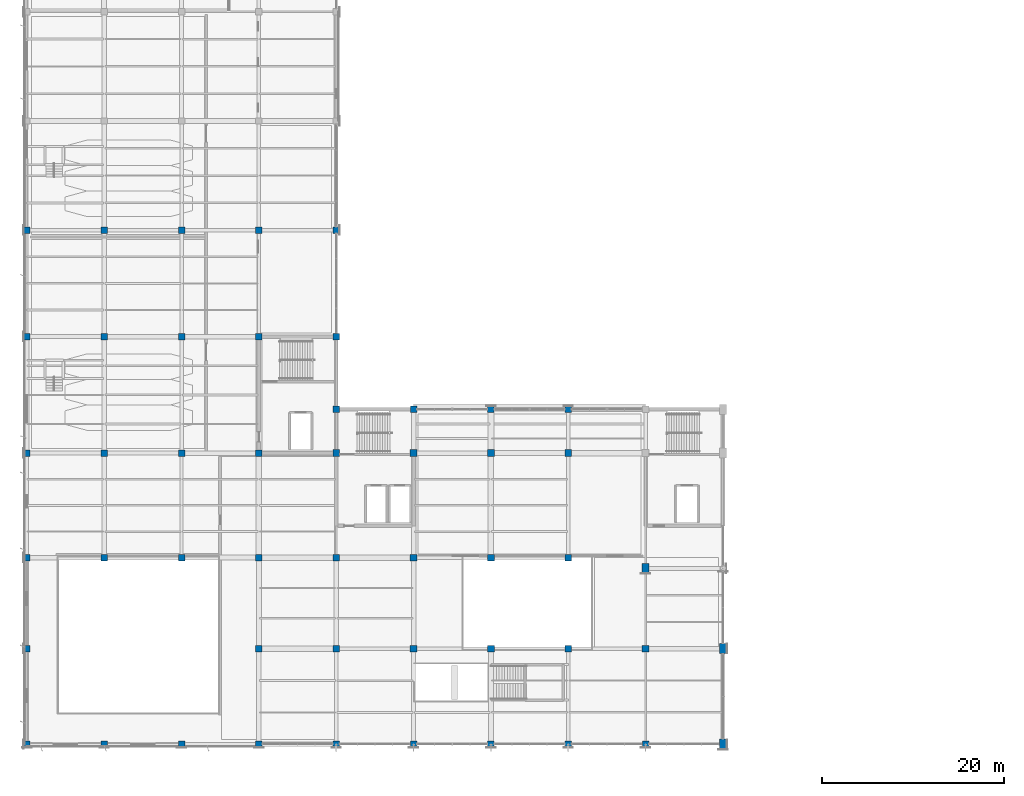
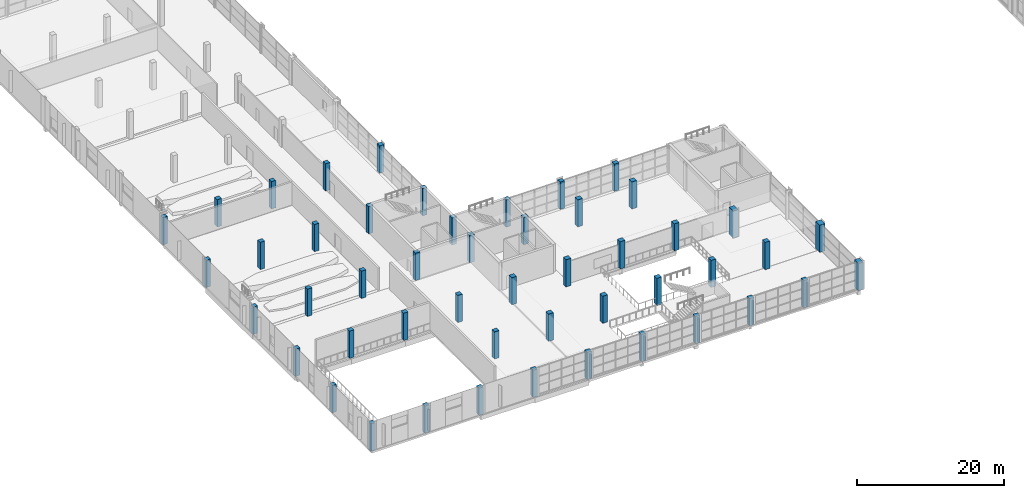
# One storey, part 1 of 112: 49 columns.
"""IFC4 building model written with IfcOpenShell, lengths in metres."""

from ifc_helpers import new_model, si_unit, direction, frame, origin, origin_2d, place, context, subcontext, project, spatial, rectangle, extrude, material, material_profile, profile_set, type_object, element, save


model = new_model("IFC4")

# Units and contexts
model_context = context("Model", 3, precision=1e-05, world=origin(), true_north=direction((0.0, 1.0)))
body_context = subcontext(model_context, "Body", "Model", "MODEL_VIEW")
ifc_project = project(units=[si_unit("LENGTHUNIT", "METRE"), si_unit("AREAUNIT", "SQUARE_METRE"), si_unit("VOLUMEUNIT", "CUBIC_METRE"), si_unit("PLANEANGLEUNIT", "RADIAN"), si_unit("MASSUNIT", "GRAM", prefix="KILO")], contexts=[model_context])

# Site, building, storey
site_placement = place(None, origin())
site = spatial("IfcSite", under=ifc_project, at=site_placement, CompositionType="ELEMENT")
building_placement = place(site_placement, origin())
building = spatial("IfcBuilding", under=site, at=building_placement, Name="Solvikara Media Centre", CompositionType="ELEMENT")
storey_placement = place(building_placement, frame((0.0, 0.0, 5.39990234375)))
storey = spatial("IfcBuildingStorey", under=building, at=storey_placement, Name="L01", CompositionType="ELEMENT", Elevation=5.39990234375)

# Columns
ifc_material = material(Name="Concrete fc' 45 MPa (C45/55)", Category="concrete")
ifc_material_profile_1 = material_profile(ifc_material, rectangle(XDim=0.699951171875, YDim=0.699951171875, at=origin_2d()), Name="RC 700x700")
ifc_profile_set_1 = profile_set([ifc_material_profile_1], Name="Concrete fc' 45 MPa (C45/55)")
column_type_1 = type_object("IfcColumnType", Name="CL-03", PredefinedType="COLUMN", material=ifc_profile_set_1)
for number, where, z_axis, x_axis, name in (
    (1, (8.5, 20.5, 0.0), (0.0, 0.0, 1.0), (1.0, 0.0, 0.0), "C-L01-0085-0205"),
    (2, (8.5, 32.0, 0.0), (0.0, 0.0, 1.0), (1.0, 0.0, 0.0), "C-L01-0085-0320"),
    (3, (8.5, 44.800048828125, 0.0), (0.0, 0.0, 1.0), (1.0, 0.0, 0.0), "C-L01-0085-0448"),
    (4, (8.5, 56.5, 0.0), (0.0, 0.0, 1.0), (1.0, 0.0, 0.0), "C-L01-0085-0565"),
    (5, (17.0, 20.5, 0.0), (0.0, 0.0, 1.0), (1.0, 0.0, 0.0), "C-L01-0170-0205"),
    (6, (17.0, 32.0, 0.0), (0.0, 0.0, 1.0), (1.0, 0.0, 0.0), "C-L01-0170-0320"),
    (7, (17.0, 44.800048828125, 0.0), (0.0, 0.0, 1.0), (1.0, 0.0, 0.0), "C-L01-0170-0448"),
    (8, (17.0, 56.5, 0.0), (0.0, 0.0, 1.0), (1.0, 0.0, 0.0), "C-L01-0170-0565"),
    (9, (25.5, 10.5, 0.0), (0.0, 0.0, 1.0), (1.0, 0.0, 0.0), "C-L01-0255-0105"),
    (10, (25.5, 20.5, 0.0), (0.0, 0.0, 1.0), (1.0, 0.0, 0.0), "C-L01-0255-0205"),
    (11, (25.5, 32.0, 0.0), (0.0, 0.0, 1.0), (1.0, 0.0, 0.0), "C-L01-0255-0320"),
    (12, (25.5, 44.800048828125, 0.0), (0.0, 0.0, 1.0), (1.0, 0.0, 0.0), "C-L01-0255-0448"),
    (13, (25.5, 56.5, 0.0), (0.0, 0.0, 1.0), (1.0, 0.0, 0.0), "C-L01-0255-0565"),
):
    element("IfcColumn", number, at=place(storey_placement, frame(where, z_axis=z_axis, x_axis=x_axis)), inside=storey, type_object=column_type_1, Name=name, PredefinedType="COLUMN", context=body_context, shape_type="SweptSolid", body=[
        extrude(rectangle(XDim=0.699951171875, YDim=0.699951171875, at=origin_2d()), origin(), (0.0, 0.0, 1.0), 4.5400390625),
    ])
ifc_material_profile_2 = material_profile(ifc_material, rectangle(XDim=0.75, YDim=0.75, at=origin_2d()), Name="RC 750x750")
ifc_profile_set_2 = profile_set([ifc_material_profile_2], Name="Concrete fc' 45 MPa (C45/55)")
column_type_2 = type_object("IfcColumnType", Name="CL-04", PredefinedType="COLUMN", material=ifc_profile_set_2)
for number, where, z_axis, x_axis, name in (
    (14, (34.0, 10.5, 0.0), (0.0, 0.0, 1.0), (1.0, 0.0, 0.0), "C-L01-0340-0105"),
    (15, (34.0, 20.5, 0.0), (0.0, 0.0, 1.0), (1.0, 0.0, 0.0), "C-L01-0340-0205"),
    (16, (34.0, 32.0, 0.0), (0.0, 0.0, 1.0), (1.0, 0.0, 0.0), "C-L01-0340-0320"),
    (17, (42.5, 10.5, 0.0), (0.0, 0.0, 1.0), (1.0, 0.0, 0.0), "C-L01-0425-0105"),
    (18, (42.5, 20.5, 0.0), (0.0, 0.0, 1.0), (1.0, 0.0, 0.0), "C-L01-0425-0205"),
    (19, (42.5, 32.0, 0.0), (0.0, 0.0, 1.0), (1.0, 0.0, 0.0), "C-L01-0425-0320"),
    (20, (51.0, 10.5, 0.0), (0.0, 0.0, 1.0), (1.0, 0.0, 0.0), "C-L01-0510-0105"),
    (21, (51.0, 20.5, 0.0), (0.0, 0.0, 1.0), (1.0, 0.0, 0.0), "C-L01-0510-0205"),
    (22, (51.0, 32.0, 0.0), (0.0, 0.0, 1.0), (1.0, 0.0, 0.0), "C-L01-0510-0320"),
    (23, (59.5, 10.5, 0.0), (0.0, 0.0, 1.0), (1.0, 0.0, 0.0), "C-L01-0595-0105"),
    (24, (59.5, 20.5, 0.0), (0.0, 0.0, 1.0), (1.0, 0.0, 0.0), "C-L01-0595-0205"),
    (25, (59.5, 32.0, 0.0), (0.0, 0.0, 1.0), (1.0, 0.0, 0.0), "C-L01-0595-0320"),
    (26, (68.0, 10.5, 0.0), (0.0, 0.0, 1.0), (1.0, 0.0, 0.0), "C-L01-0680-0105"),
):
    element("IfcColumn", number, at=place(storey_placement, frame(where, z_axis=z_axis, x_axis=x_axis)), inside=storey, type_object=column_type_2, Name=name, PredefinedType="COLUMN", context=body_context, shape_type="SweptSolid", body=[
        extrude(rectangle(XDim=0.75, YDim=0.75, at=origin_2d()), origin(), (0.0, 0.0, 1.0), 4.52001953125),
    ])
ifc_material_profile_3 = material_profile(ifc_material, rectangle(XDim=0.699951171875, YDim=0.699951171875, at=origin_2d()), Name="RC 700x700")
ifc_profile_set_3 = profile_set([ifc_material_profile_3], Name="Concrete fc' 45 MPa (C45/55)")
column_type_3 = type_object("IfcColumnType", Name="CL-15", PredefinedType="COLUMN", material=ifc_profile_set_3)
for number, where, z_axis, x_axis, name in (
    (27, (0.0, 0.0, 0.0), (0.0, 0.0, 1.0), (1.0, 0.0, 0.0), "C-L01-0000-0000"),
    (28, (0.0, 10.5, 0.0), (0.0, 0.0, 1.0), (1.0, 0.0, 0.0), "C-L01-0000-0105"),
    (29, (0.0, 20.5, 0.0), (0.0, 0.0, 1.0), (1.0, 0.0, 0.0), "C-L01-0000-0205"),
    (30, (0.0, 32.0, 0.0), (0.0, 0.0, 1.0), (1.0, 0.0, 0.0), "C-L01-0000-0320"),
    (31, (0.0, 44.800048828125, 0.0), (0.0, 0.0, 1.0), (1.0, 0.0, 0.0), "C-L01-0000-0448"),
    (32, (0.0, 56.5, 0.0), (0.0, 0.0, 1.0), (1.0, 0.0, 0.0), "C-L01-0000-0565"),
    (33, (8.5, 0.0, 0.0), (0.0, 0.0, 1.0), (1.0, 0.0, 0.0), "C-L01-0085-0000"),
    (34, (17.0, 0.0, 0.0), (0.0, 0.0, 1.0), (1.0, 0.0, 0.0), "C-L01-0170-0000"),
    (35, (25.5, 0.0, 0.0), (0.0, 0.0, 1.0), (1.0, 0.0, 0.0), "C-L01-0255-0000"),
    (36, (34.0, 44.800048828125, 0.0), (0.0, 0.0, 1.0), (1.0, 0.0, 0.0), "C-L01-0340-0448"),
    (37, (34.0, 56.5, 0.0), (0.0, 0.0, 1.0), (1.0, 0.0, 0.0), "C-L01-0340-0565"),
):
    element("IfcColumn", number, at=place(storey_placement, frame(where, z_axis=z_axis, x_axis=x_axis)), inside=storey, type_object=column_type_3, Name=name, PredefinedType="COLUMN", context=body_context, shape_type="SweptSolid", body=[
        extrude(rectangle(XDim=0.699951171875, YDim=0.699951171875, at=origin_2d()), origin(), (0.0, 0.0, 1.0), 4.5400390625),
    ])
for number, where, z_axis, x_axis, name in (
    (38, (34.0, 0.0, 0.0), (0.0, 0.0, 1.0), (1.0, 0.0, 0.0), "C-L01-0340-0000"),
    (39, (34.0, 36.800048828125, 0.0), (0.0, 0.0, 1.0), (1.0, 0.0, 0.0), "C-L01-0340-0368"),
    (40, (42.5, 0.0, 0.0), (0.0, 0.0, 1.0), (1.0, 0.0, 0.0), "C-L01-0425-0000"),
    (41, (42.5, 36.800048828125, 0.0), (0.0, 0.0, 1.0), (1.0, 0.0, 0.0), "C-L01-0425-0368"),
    (42, (51.0, 0.0, 0.0), (0.0, 0.0, 1.0), (1.0, 0.0, 0.0), "C-L01-0510-0000"),
    (43, (51.0, 36.800048828125, 0.0), (0.0, 0.0, 1.0), (1.0, 0.0, 0.0), "C-L01-0510-0368"),
    (44, (59.5, 0.0, 0.0), (0.0, 0.0, 1.0), (1.0, 0.0, 0.0), "C-L01-0595-0000"),
    (45, (59.5, 36.800048828125, 0.0), (0.0, 0.0, 1.0), (1.0, 0.0, 0.0), "C-L01-0595-0368"),
    (46, (68.0, 0.0, 0.0), (0.0, 0.0, 1.0), (1.0, 0.0, 0.0), "C-L01-0680-0000"),
):
    element("IfcColumn", number, at=place(storey_placement, frame(where, z_axis=z_axis, x_axis=x_axis)), inside=storey, type_object=column_type_3, Name=name, PredefinedType="COLUMN", context=body_context, shape_type="SweptSolid", body=[
        extrude(rectangle(XDim=0.699951171875, YDim=0.699951171875, at=origin_2d()), origin(), (0.0, 0.0, 1.0), 4.52001953125),
    ])
ifc_material_profile_4 = material_profile(ifc_material, rectangle(XDim=0.800048828125, YDim=1.10009765625, at=origin_2d()), Name="RC 800x1100")
ifc_profile_set_4 = profile_set([ifc_material_profile_4], Name="Concrete fc' 45 MPa (C45/55)")
column_type_4 = type_object("IfcColumnType", Name="CL-17", PredefinedType="COLUMN", material=ifc_profile_set_4)
for number, where, z_axis, x_axis, name in (
    (47, (76.5, 0.0, 0.0), (0.0, 0.0, 1.0), (1.0, 0.0, 0.0), "C-L01-0765-0000"),
    (48, (76.5, 10.5, 0.0), (0.0, 0.0, 1.0), (1.0, 0.0, 0.0), "C-L01-0765-0105"),
    (49, (68.0, 19.323974609375, 0.0), (0.0, 0.0, 1.0), (1.0, 0.0, 0.0), "C-L01-0680-0193"),
):
    element("IfcColumn", number, at=place(storey_placement, frame(where, z_axis=z_axis, x_axis=x_axis)), inside=storey, type_object=column_type_4, Name=name, PredefinedType="COLUMN", context=body_context, shape_type="SweptSolid", body=[
        extrude(rectangle(XDim=0.800048828125, YDim=1.10009765625, at=origin_2d()), origin(), (0.0, 0.0, 1.0), 4.52001953125),
    ])

save(model, "model.ifc")
